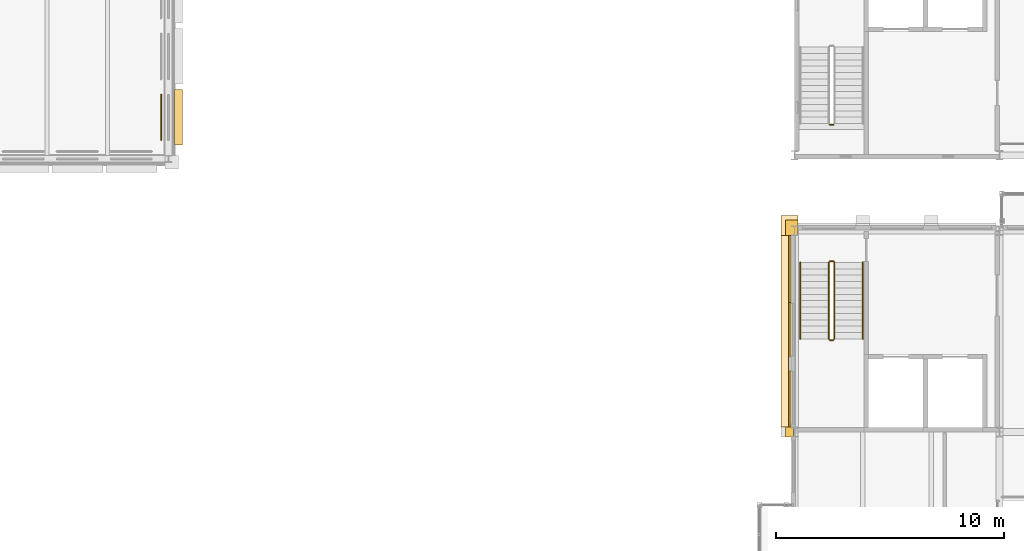
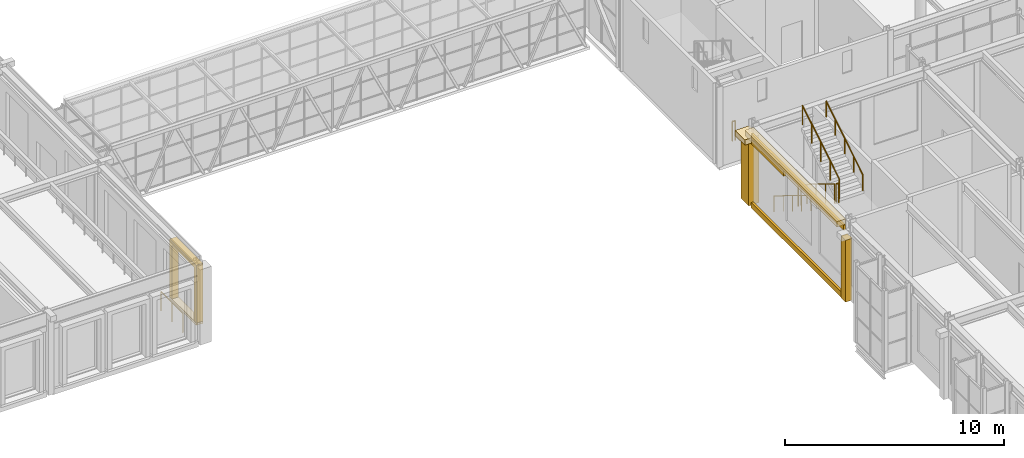
# One storey, part 136 of 149: 9 coverings, 8 railings.
"""IFC4 building model written with IfcOpenShell, lengths in metres."""

from ifc_helpers import new_model, si_unit, direction, frame, origin, origin_2d, place, context, subcontext, project, spatial, polyline, rectangle, circle, outline, extrude, material, layer, layer_set, type_object, element, save


model = new_model("IFC4")

# Units and contexts
model_context = context("Model", 3, precision=1e-05, world=origin(), true_north=direction((0.0, 1.0)))
body_context = subcontext(model_context, "Body", "Model", "MODEL_VIEW")
ifc_project = project(units=[si_unit("LENGTHUNIT", "METRE"), si_unit("AREAUNIT", "SQUARE_METRE"), si_unit("VOLUMEUNIT", "CUBIC_METRE"), si_unit("PLANEANGLEUNIT", "RADIAN"), si_unit("MASSUNIT", "GRAM", prefix="KILO")], contexts=[model_context])

# Site, building, storey
site_placement = place(None, origin())
site = spatial("IfcSite", under=ifc_project, at=site_placement, CompositionType="ELEMENT")
building_placement = place(site_placement, origin())
building = spatial("IfcBuilding", under=site, at=building_placement, Name="Kallimachos Central Library", CompositionType="ELEMENT")
storey_placement = place(building_placement, frame((0.0, 0.0, 9.89990234375)))
storey = spatial("IfcBuildingStorey", under=building, at=storey_placement, Name="L02", CompositionType="ELEMENT", Elevation=9.89990234375)

# Coverings
ifc_material_1 = material(Name="Pentelic marble window sill", Category="masonry")
ifc_layer_1 = layer(ifc_material_1, 0.35009765625)
ifc_layer_set_1 = layer_set([ifc_layer_1], Name="Attic window sill block 350")
covering_type_1 = type_object("IfcCoveringType", Name="Attic window sill block 350", PredefinedType="MOLDING", material=ifc_layer_set_1)
covering_1_placement = place(storey_placement, frame((38.43505859375, 88.824951171875, 0.330078125), z_axis=(0.0, 0.0, 1.0), x_axis=(1.0, 0.0, 0.0)))
element("IfcCovering", 1, at=covering_1_placement, inside=storey, type_object=covering_type_1, Name="Attic window sill block", PredefinedType="MOLDING", context=body_context, shape_type="SweptSolid", body=[
    extrude(rectangle(XDim=0.35009765625, YDim=2.43994140625, at=origin_2d()), origin(), (0.0, 0.0, 1.0), 0.1201171875),
])
ifc_material_2 = material(Name="Pentelic marble window surround", Category="masonry")
ifc_layer_2 = layer(ifc_material_2, 0.35009765625)
ifc_layer_set_2 = layer_set([ifc_layer_2], Name="Attic window surround 350")
covering_type_2 = type_object("IfcCoveringType", Name="Attic window surround 350", PredefinedType="MOLDING", material=ifc_layer_set_2)
covering_2_placement = place(storey_placement, frame((38.610107421875, 87.824951171875, 0.4501953125), z_axis=(1.0, 0.0, 0.0), x_axis=(0.0, 0.0, 1.0)))
element("IfcCovering", 2, at=covering_2_placement, inside=storey, type_object=covering_type_2, Name="Attic window surround -WIN-L02-029", PredefinedType="MOLDING", context=body_context, shape_type="SweptSolid", body=[
    extrude(outline(polyline([(0.0, 0.0), (3.0, 0.0), (3.0, -2.0), (0.0, -2.0), (0.0, -2.219970703125), (3.219970703125, -2.219970703125), (3.219970703125, 0.219970703125), (0.0, 0.219970703125), (0.0, 0.0)])), origin(), (0.0, 0.0, -1.0), 0.35009765625),
])
ifc_material_3 = material(Name="Glazed ceramic frieze, green")
ifc_layer_3 = layer(ifc_material_3, 0.10009765625)
ifc_layer_set_3 = layer_set([ifc_layer_3], Name="Glazed ceramic frieze, green")
covering_type_3 = type_object("IfcCoveringType", Name="Glazed ceramic frieze, green", PredefinedType="CLADDING", material=ifc_layer_set_3)
covering_3_placement = place(storey_placement, frame((65.29638671875, 79.425048828125, 3.68017578125), z_axis=(0.0, 0.0, 1.0), x_axis=(1.0, 0.0, 0.0)))
element("IfcCovering", 3, at=covering_3_placement, inside=storey, type_object=covering_type_3, Name="Glazed ceramic frieze, green -L02-022", PredefinedType="CLADDING", context=body_context, shape_type="SweptSolid", body=[
    extrude(rectangle(XDim=0.10009765625, YDim=8.41796875, at=origin_2d()), origin(), (0.0, 0.0, 1.0), 0.300048828125),
])
ifc_material_4 = material(Name="Glazed ceramic frieze, ochre")
ifc_layer_4 = layer(ifc_material_4, 0.10009765625)
ifc_layer_set_4 = layer_set([ifc_layer_4], Name="Glazed ceramic frieze, ochre")
covering_type_4 = type_object("IfcCoveringType", Name="Glazed ceramic frieze, ochre", PredefinedType="CLADDING", material=ifc_layer_set_4)
covering_4_placement = place(storey_placement, frame((65.29638671875, 82.1669921875, 3.3798828125), z_axis=(0.0, 0.0, 1.0), x_axis=(1.0, 0.0, 0.0)))
element("IfcCovering", 4, at=covering_4_placement, inside=storey, type_object=covering_type_4, Name="Glazed ceramic frieze, ochre -L02-022", PredefinedType="CLADDING", context=body_context, shape_type="SweptSolid", body=[
    extrude(rectangle(XDim=0.10009765625, YDim=2.93408203125, at=origin_2d()), origin(), (0.0, 0.0, 1.0), 0.300048828125),
])

# Railings
ifc_material_5 = material(Name="Wrought iron")
railing_type_1 = type_object("IfcRailingType", Name="Stair guard", PredefinedType="GUARDRAIL", material=ifc_material_5)
railing_1_placement = place(storey_placement, frame((67.0, 82.449951171875, 0.173095703125)))
element("IfcRailing", 5, at=railing_1_placement, inside=storey, type_object=railing_type_1, Name="L02 ST9 stair guard 1", PredefinedType="GUARDRAIL", context=body_context, shape_type="SweptSolid", body=[
    extrude(circle(Radius=0.02392578125, at=origin_2d()), frame((0.0, 0.0, 1.076171875), z_axis=(0.0, -0.850606129759, 0.525803396734), x_axis=(1.0, 0.0, 0.0)), (0.0, 0.0, 1.0), 3.949951171875),
    extrude(circle(Radius=0.02099609375, at=origin_2d()), origin(), (0.0, 0.0, 1.0), 1.052001953125),
    extrude(circle(Radius=0.02099609375, at=origin_2d()), frame((0.0, -0.83984375, 0.519287109375)), (0.0, 0.0, 1.0), 1.052001953125),
    extrude(circle(Radius=0.02099609375, at=origin_2d()), frame((0.0, -1.679931640625, 1.03857421875)), (0.0, 0.0, 1.0), 1.052001953125),
    extrude(circle(Radius=0.02099609375, at=origin_2d()), frame((0.0, -2.52001953125, 1.5576171875)), (0.0, 0.0, 1.0), 1.052001953125),
    extrude(circle(Radius=0.02099609375, at=origin_2d()), frame((0.0, -3.35986328125, 2.076904296875)), (0.0, 0.0, 1.0), 1.052001953125),
])
railing_2_placement = place(storey_placement, frame((67.050048828125, 79.0400390625, 2.25)))
element("IfcRailing", 6, at=railing_2_placement, inside=storey, type_object=railing_type_1, Name="L02 ST9 stair guard 2", PredefinedType="GUARDRAIL", context=body_context, shape_type="SweptSolid", body=[
    extrude(circle(Radius=0.02392578125, at=origin_2d()), frame((0.0, 0.0, 1.076171875), z_axis=(1.0, 0.0, 0.0), x_axis=(0.0, 1.0, 0.0)), (0.0, 0.0, 1.0), 0.14990234375),
    extrude(circle(Radius=0.02099609375, at=origin_2d()), origin(), (0.0, 0.0, 1.0), 1.052001953125),
    extrude(circle(Radius=0.02099609375, at=origin_2d()), frame((0.14990234375, 0.0, 0.0)), (0.0, 0.0, 1.0), 1.052001953125),
])
railing_3_placement = place(storey_placement, frame((67.25, 79.090087890625, 2.423095703125)))
element("IfcRailing", 7, at=railing_3_placement, inside=storey, type_object=railing_type_1, Name="L02 ST9 stair guard 3", PredefinedType="GUARDRAIL", context=body_context, shape_type="SweptSolid", body=[
    extrude(circle(Radius=0.02392578125, at=origin_2d()), frame((0.0, 0.0, 1.076171875), z_axis=(0.0, 0.850606129759, 0.525803396734), x_axis=(-1.0, 0.0, 0.0)), (0.0, 0.0, 1.0), 3.949951171875),
    extrude(circle(Radius=0.02099609375, at=origin_2d()), origin(), (0.0, 0.0, 1.0), 1.052001953125),
    extrude(circle(Radius=0.02099609375, at=origin_2d()), frame((0.0, 0.83984375, 0.519287109375)), (0.0, 0.0, 1.0), 1.052001953125),
    extrude(circle(Radius=0.02099609375, at=origin_2d()), frame((0.0, 1.679931640625, 1.03857421875)), (0.0, 0.0, 1.0), 1.052001953125),
    extrude(circle(Radius=0.02099609375, at=origin_2d()), frame((0.0, 2.52001953125, 1.5576171875)), (0.0, 0.0, 1.0), 1.052001953125),
    extrude(circle(Radius=0.02099609375, at=origin_2d()), frame((0.0, 3.35986328125, 2.076904296875)), (0.0, 0.0, 1.0), 1.052001953125),
])
railing_4_placement = place(storey_placement, frame((67.050048828125, 82.5, 0.0)))
element("IfcRailing", 8, at=railing_4_placement, inside=storey, type_object=railing_type_1, Name="L02 ST9 stair guard 4", PredefinedType="GUARDRAIL", context=body_context, shape_type="SweptSolid", body=[
    extrude(circle(Radius=0.02392578125, at=origin_2d()), frame((0.0, 0.0, 1.076171875), z_axis=(1.0, 0.0, 0.0), x_axis=(0.0, 1.0, 0.0)), (0.0, 0.0, 1.0), 0.14990234375),
    extrude(circle(Radius=0.02099609375, at=origin_2d()), origin(), (0.0, 0.0, 1.0), 1.052001953125),
    extrude(circle(Radius=0.02099609375, at=origin_2d()), frame((0.14990234375, 0.0, 0.0)), (0.0, 0.0, 1.0), 1.052001953125),
])
ifc_material_6 = material(Name="Wrought iron")
railing_type_2 = type_object("IfcRailingType", Name="Stair handrail", PredefinedType="HANDRAIL", material=ifc_material_6)
railing_5_placement = place(storey_placement, frame((65.75, 82.449951171875, 0.173095703125)))
element("IfcRailing", 9, at=railing_5_placement, inside=storey, type_object=railing_type_2, Name="L02 ST9 stair handrail 1", PredefinedType="HANDRAIL", context=body_context, shape_type="SweptSolid", body=[
    extrude(circle(Radius=0.02392578125, at=origin_2d()), frame((0.0, 0.0, 0.8759765625), z_axis=(0.0, -0.850606129759, 0.525803396734), x_axis=(1.0, 0.0, 0.0)), (0.0, 0.0, 1.0), 3.949951171875),
    extrude(circle(Radius=0.02099609375, at=origin_2d()), origin(), (0.0, 0.0, 1.0), 0.851806640625),
    extrude(circle(Radius=0.02099609375, at=origin_2d()), frame((0.0, -0.83984375, 0.519287109375)), (0.0, 0.0, 1.0), 0.851806640625),
    extrude(circle(Radius=0.02099609375, at=origin_2d()), frame((0.0, -1.679931640625, 1.03857421875)), (0.0, 0.0, 1.0), 0.851806640625),
    extrude(circle(Radius=0.02099609375, at=origin_2d()), frame((0.0, -2.52001953125, 1.5576171875)), (0.0, 0.0, 1.0), 0.851806640625),
    extrude(circle(Radius=0.02099609375, at=origin_2d()), frame((0.0, -3.35986328125, 2.076904296875)), (0.0, 0.0, 1.0), 0.851806640625),
])
railing_6_placement = place(storey_placement, frame((68.5, 79.090087890625, 2.423095703125)))
element("IfcRailing", 10, at=railing_6_placement, inside=storey, type_object=railing_type_2, Name="L02 ST9 stair handrail 2", PredefinedType="HANDRAIL", context=body_context, shape_type="SweptSolid", body=[
    extrude(circle(Radius=0.02392578125, at=origin_2d()), frame((0.0, 0.0, 0.8759765625), z_axis=(0.0, 0.850606129759, 0.525803396734), x_axis=(-1.0, 0.0, 0.0)), (0.0, 0.0, 1.0), 3.949951171875),
    extrude(circle(Radius=0.02099609375, at=origin_2d()), origin(), (0.0, 0.0, 1.0), 0.851806640625),
    extrude(circle(Radius=0.02099609375, at=origin_2d()), frame((0.0, 0.83984375, 0.519287109375)), (0.0, 0.0, 1.0), 0.851806640625),
    extrude(circle(Radius=0.02099609375, at=origin_2d()), frame((0.0, 1.679931640625, 1.03857421875)), (0.0, 0.0, 1.0), 0.851806640625),
    extrude(circle(Radius=0.02099609375, at=origin_2d()), frame((0.0, 2.52001953125, 1.5576171875)), (0.0, 0.0, 1.0), 0.851806640625),
    extrude(circle(Radius=0.02099609375, at=origin_2d()), frame((0.0, 3.35986328125, 2.076904296875)), (0.0, 0.0, 1.0), 0.851806640625),
])

# Coverings
ifc_material_7 = material(Name="Pentelic marble attic moulding", Category="masonry")
ifc_layer_5 = layer(ifc_material_7, 0.1201171875)
ifc_layer_set_5 = layer_set([ifc_layer_5], Name="Stone attic moulding 300")
covering_type_5 = type_object("IfcCoveringType", Name="Stone attic moulding 300", PredefinedType="MOLDING", material=ifc_layer_set_5)
covering_5_placement = place(storey_placement, frame((65.28662109375, 79.425048828125, -0.14990234375), z_axis=(0.0, 0.0, 1.0), x_axis=(1.0, 0.0, 0.0)))
element("IfcCovering", 11, at=covering_5_placement, inside=storey, type_object=covering_type_5, Name="Stone attic moulding 300 -L02-022", PredefinedType="MOLDING", context=body_context, shape_type="SweptSolid", body=[
    extrude(rectangle(XDim=0.1201171875, YDim=8.41796875, at=origin_2d()), origin(), (0.0, 0.0, 1.0), 0.300048828125),
])
ifc_material_8 = material(Name="Pentelic marble cornice", Category="masonry")
ifc_layer_6 = layer(ifc_material_8, 0.449951171875)
ifc_layer_set_6 = layer_set([ifc_layer_6], Name="Stone cornice 450")
covering_type_6 = type_object("IfcCoveringType", Name="Stone cornice 450", PredefinedType="MOLDING", material=ifc_layer_set_6)
covering_6_placement = place(storey_placement, frame((65.12158203125, 79.425048828125, 4.0), z_axis=(0.0, 0.0, 1.0), x_axis=(1.0, 0.0, 0.0)))
element("IfcCovering", 12, at=covering_6_placement, inside=storey, type_object=covering_type_6, Name="Stone cornice 450 -L02-022", PredefinedType="MOLDING", context=body_context, shape_type="SweptSolid", body=[
    extrude(rectangle(XDim=0.449951171875, YDim=8.41796875, at=origin_2d()), origin(), (0.0, 0.0, 1.0), 0.300048828125),
])
covering_7_placement = place(storey_placement, frame((65.27490234375, 84.074951171875, 3.4501953125), z_axis=(0.0, 0.0, 1.0), x_axis=(1.0, 0.0, 0.0)))
element("IfcCovering", 13, at=covering_7_placement, inside=storey, type_object=covering_type_6, Name="Stone cornice 450 corner", PredefinedType="MOLDING", context=body_context, shape_type="SweptSolid", body=[
    extrude(rectangle(XDim=0.757080078125, YDim=0.882080078125, at=origin_2d()), origin(), (0.0, 0.0, 1.0), 0.300048828125),
])
ifc_material_9 = material(Name="Pentelic marble pilaster", Category="masonry")
ifc_layer_7 = layer(ifc_material_9, 0.25)
ifc_layer_set_7 = layer_set([ifc_layer_7], Name="Stone pilaster 250")
covering_type_7 = type_object("IfcCoveringType", Name="Stone pilaster 250", PredefinedType="CLADDING", material=ifc_layer_set_7)
covering_8_placement = place(storey_placement, frame((65.2705078125, 75.0, 0.0), z_axis=(0.0, 0.0, 1.0), x_axis=(1.0, 0.0, 0.0)))
element("IfcCovering", 14, at=covering_8_placement, inside=storey, type_object=covering_type_7, Name="Stone pilaster 250 -L02-021", PredefinedType="CLADDING", context=body_context, shape_type="SweptSolid", body=[
    extrude(rectangle(XDim=0.35009765625, YDim=0.431884765625, at=origin_2d()), origin(), (0.0, 0.0, 1.0), 3.449951171875),
])
covering_9_placement = place(storey_placement, frame((65.375, 83.97509765625, 0.0), z_axis=(0.0, 0.0, 1.0), x_axis=(1.0, 0.0, 0.0)))
element("IfcCovering", 15, at=covering_9_placement, inside=storey, type_object=covering_type_7, Name="Stone pilaster 250 corner", PredefinedType="CLADDING", context=body_context, shape_type="SweptSolid", body=[
    extrude(rectangle(XDim=0.556884765625, YDim=0.681884765625, at=origin_2d()), origin(), (0.0, 0.0, 1.0), 3.449951171875),
])

# Railings
ifc_material_10 = material(Name="Wrought iron")
railing_type_3 = type_object("IfcRailingType", Name="Window guard 1100", PredefinedType="GUARDRAIL", material=ifc_material_10)
railing_7_placement = place(storey_placement, frame((37.679931640625, 87.824951171875, 0.0)))
element("IfcRailing", 16, at=railing_7_placement, inside=storey, type_object=railing_type_3, Name="Window guard", PredefinedType="GUARDRAIL", context=body_context, shape_type="SweptSolid", body=[
    extrude(circle(Radius=0.02392578125, at=origin_2d()), frame((0.0, 0.0, 1.076171875), z_axis=(0.0, 1.0, 0.0), x_axis=(-1.0, 0.0, 0.0)), (0.0, 0.0, 1.0), 2.0),
    extrude(circle(Radius=0.02099609375, at=origin_2d()), origin(), (0.0, 0.0, 1.0), 1.052001953125),
    extrude(circle(Radius=0.02099609375, at=origin_2d()), frame((0.0, 1.0, 0.0)), (0.0, 0.0, 1.0), 1.052001953125),
    extrude(circle(Radius=0.02099609375, at=origin_2d()), frame((0.0, 2.0, 0.0)), (0.0, 0.0, 1.0), 1.052001953125),
])
ifc_material_11 = material(Name="Wrought iron")
railing_type_4 = type_object("IfcRailingType", Name="Wrought-iron stair guard 1100", PredefinedType="GUARDRAIL", material=ifc_material_11)
railing_8_placement = place(storey_placement, frame((67.199951171875, 88.5, 0.0)))
element("IfcRailing", 17, at=railing_8_placement, inside=storey, type_object=railing_type_4, Name="L02 ST1 stair guard 4", PredefinedType="GUARDRAIL", context=body_context, shape_type="SweptSolid", body=[
    extrude(circle(Radius=0.02392578125, at=origin_2d()), frame((0.0, 0.0, 1.076171875), z_axis=(-1.0, 0.0, 0.0), x_axis=(0.0, -1.0, 0.0)), (0.0, 0.0, 1.0), 0.14990234375),
    extrude(circle(Radius=0.02099609375, at=origin_2d()), origin(), (0.0, 0.0, 1.0), 1.052001953125),
    extrude(circle(Radius=0.02099609375, at=origin_2d()), frame((-0.14990234375, 0.0, 0.0)), (0.0, 0.0, 1.0), 1.052001953125),
])

save(model, "model.ifc")
